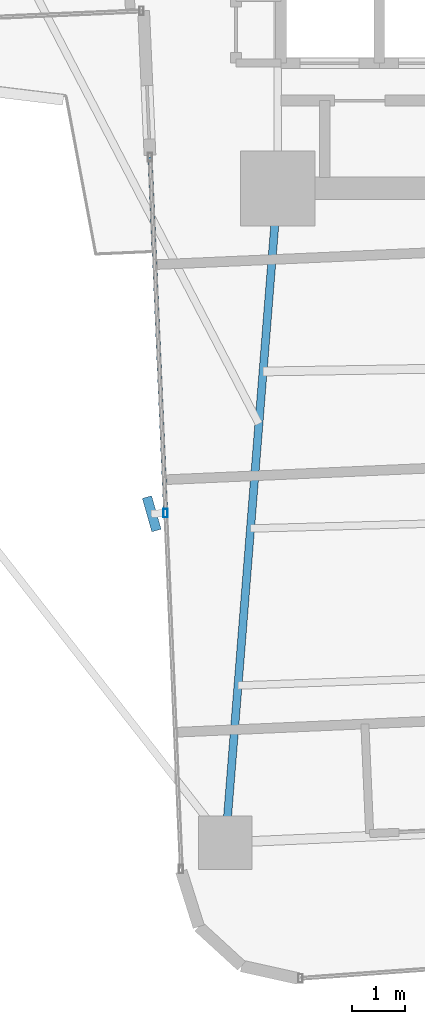
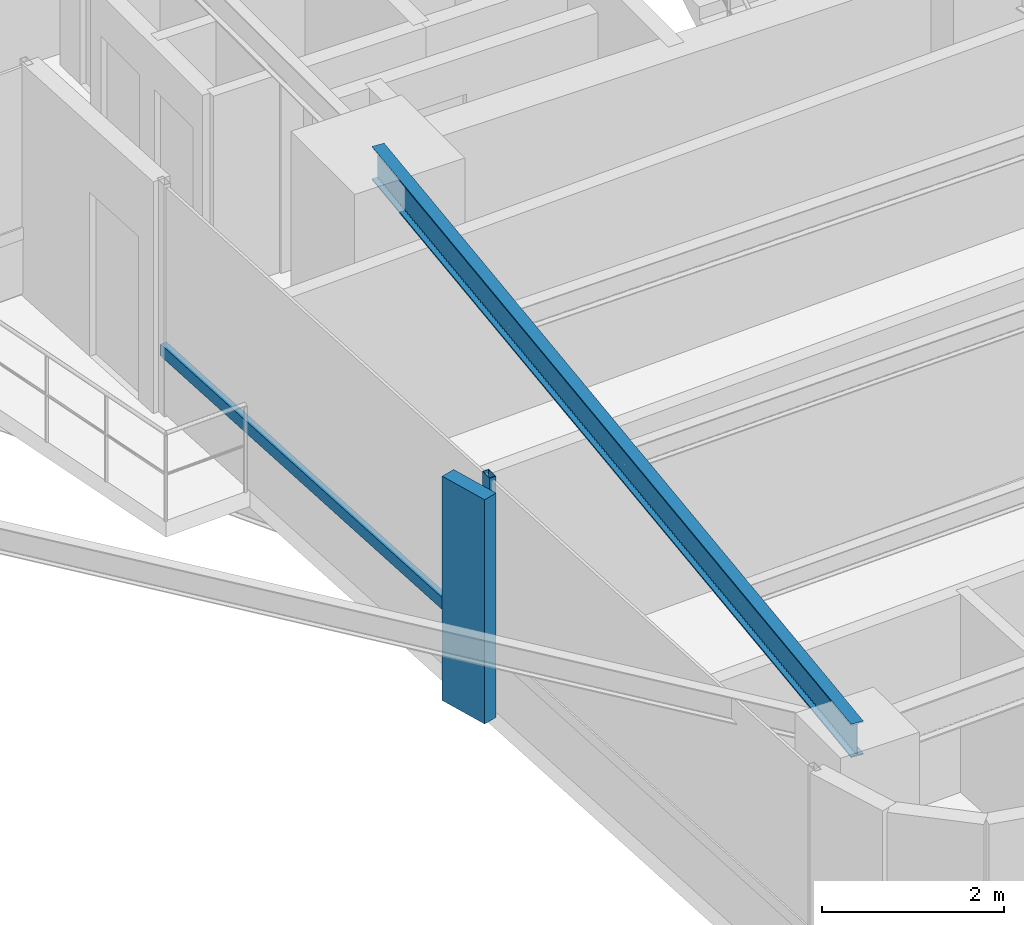
# One storey, part 4 of 27: 3 members, 1 beam, 1 element without a shape of its own.
"""IFC4 building model written with IfcOpenShell, lengths in metres."""

from ifc_helpers import new_model, si_unit, direction, frame, origin, origin_2d, place, context, subcontext, project, spatial, rectangle, hollow_rectangle, i_section, extrude, source, transform, mapped, material, material_profile, profile_set, type_object, element, aggregate, save


model = new_model("IFC4")

# Units and contexts
model_context = context("Model", 3, precision=1e-05, world=origin(), true_north=direction((0.0, 1.0)))
body_context = subcontext(model_context, "Body", "Model", "MODEL_VIEW")
ifc_project = project(units=[si_unit("LENGTHUNIT", "METRE"), si_unit("AREAUNIT", "SQUARE_METRE"), si_unit("VOLUMEUNIT", "CUBIC_METRE"), si_unit("PLANEANGLEUNIT", "RADIAN"), si_unit("MASSUNIT", "GRAM", prefix="KILO")], contexts=[model_context])

# Site, building, storey
site_placement = place(None, origin())
site = spatial("IfcSite", under=ifc_project, at=site_placement, CompositionType="ELEMENT")
building_placement = place(site_placement, origin())
building = spatial("IfcBuilding", under=site, at=building_placement, Name="Sahyath Konkavel Grand Hotel", CompositionType="ELEMENT")
storey_placement = place(building_placement, frame((0.0, 0.0, 90.199951171875)))
storey = spatial("IfcBuildingStorey", under=building, at=storey_placement, Name="L24", CompositionType="ELEMENT", Elevation=90.199951171875)

# Beam
ifc_material_1 = material(Name="Steel E350", Category="steel")
ifc_material_profile_1 = material_profile(ifc_material_1, i_section(OverallWidth=0.14990234375, OverallDepth=0.449951171875, WebThickness=0.009521484375, FlangeThickness=0.017333984375, FilletRadius=0.014892578125, at=origin_2d()), Name="ISMB 450")
ifc_profile_set_1 = profile_set([ifc_material_profile_1], Name="Steel E350")
beam_type = type_object("IfcBeamType", Name="BM-ISMB450", PredefinedType="BEAM", material=ifc_profile_set_1)
shared_shape_1 = source(origin(), body_context, "Body", "SweptSolid", [
    extrude(i_section(OverallWidth=0.14990234375, OverallDepth=0.449951171875, WebThickness=0.009521484375, FlangeThickness=0.017333984375, FilletRadius=0.014892578125, at=origin_2d()), origin(), (0.0, 0.0, 1.0), 12.2685546875),
])
beam_placement = place(storey_placement, frame((-3.800048828125, -10.199951171875, 2.885009765625), z_axis=(-0.079558563357, -0.996830193662, 0.0), x_axis=(0.996830193662, -0.079558563357, 0.0)))
element("IfcBeam", 1, at=beam_placement, inside=storey, type_object=beam_type, Name="L24 Cruciform Radial Girder SA", PredefinedType="BEAM", context=body_context, shape_type="MappedRepresentation", body=[
    mapped(shared_shape_1, transform((0.0, 0.0, 0.0), scale=1.0)),
])

# Curtain wall, members
ifc_material_2 = material(Name="Anodised Bronze Aluminium & Low-E Glazing", Category="aluminium")
curtain_wall_type = type_object("IfcCurtainWallType", Name="CW-ZONE2", PredefinedType="NOTDEFINED", material=ifc_material_2)
curtain_wall_placement = place(storey_placement, origin())
curtain_wall = element("IfcCurtainWall", 2, at=curtain_wall_placement, inside=storey, type_object=curtain_wall_type, Name="L24 Unitised Curtain Wall F24", PredefinedType="NOTDEFINED")
ifc_material_3 = material(Name="Warm Buff Sandstone Cladding on Concrete C50/60", Category="masonry")
ifc_material_profile_2 = material_profile(ifc_material_3, rectangle(XDim=0.179931640625, YDim=0.64990234375, at=origin_2d()), Name="FIN 180x650")
ifc_profile_set_2 = profile_set([ifc_material_profile_2], Name="Warm Buff Sandstone Cladding on Concrete C50/60")
member_type_1 = type_object("IfcMemberType", Name="FIN-SANDSTONE-650", PredefinedType="MULLION", material=ifc_profile_set_2)
shared_shape_2 = source(origin(), body_context, "Body", "SweptSolid", [
    extrude(rectangle(XDim=0.179931640625, YDim=0.64990234375, at=origin_2d()), origin(), (0.0, 0.0, 1.0), 3.010009765625),
])
member_1_placement = place(storey_placement, frame((-6.155517578125, -16.283935546875, 0.050048828125), z_axis=(0.0, 0.0, 1.0), x_axis=(0.961693479997, 0.274127070043, 0.0)))
member_1 = element("IfcMember", 3, at=member_1_placement, type_object=member_type_1, Name="L24 Sandstone Vertical Solar Fin FIN F24-1", PredefinedType="MULLION", context=body_context, shape_type="MappedRepresentation", body=[
    mapped(shared_shape_2, transform((0.0, 0.0, 0.0), scale=1.0)),
])
ifc_material_4 = material(Name="Anodised Bronze Aluminium", Category="aluminium")
ifc_material_profile_3 = material_profile(ifc_material_4, hollow_rectangle(XDim=0.080078125, YDim=0.159912109375, WallThickness=0.006103515625, at=origin_2d()), Name="RHS 160x80x6")
ifc_profile_set_3 = profile_set([ifc_material_profile_3], Name="Anodised Bronze Aluminium")
member_type_2 = type_object("IfcMemberType", Name="CW-MUL-160", PredefinedType="MULLION", material=ifc_profile_set_3)
shared_shape_3 = source(origin(), body_context, "Body", "SweptSolid", [
    extrude(hollow_rectangle(XDim=0.080078125, YDim=0.159912109375, WallThickness=0.006103515625, at=origin_2d()), origin(), (0.0, 0.0, 1.0), 3.110107421875),
])
member_2_placement = place(storey_placement, frame((-5.895751953125, -16.272705078125, 0.0), z_axis=(0.0, 0.0, 1.0), x_axis=(1.0, 0.0, 0.0)))
member_2 = element("IfcMember", 4, at=member_2_placement, type_object=member_type_2, Name="L24 Curtain Wall Mullion F24-1", PredefinedType="MULLION", context=body_context, shape_type="MappedRepresentation", body=[
    mapped(shared_shape_3, transform((0.0, 0.0, 0.0), scale=1.0)),
])
ifc_material_profile_4 = material_profile(ifc_material_4, hollow_rectangle(XDim=0.080078125, YDim=0.159912109375, WallThickness=0.006103515625, at=origin_2d()), Name="RHS 160x80x6")
ifc_profile_set_4 = profile_set([ifc_material_profile_4], Name="Anodised Bronze Aluminium")
member_type_3 = type_object("IfcMemberType", Name="CW-TRN-160", PredefinedType="USERDEFINED", material=ifc_profile_set_4)
shared_shape_4 = source(origin(), body_context, "Body", "SweptSolid", [
    extrude(hollow_rectangle(XDim=0.080078125, YDim=0.159912109375, WallThickness=0.006103515625, at=origin_2d()), origin(), (0.0, 0.0, 1.0), 6.66015625),
])
member_3_placement = place(storey_placement, frame((-6.186279296875, -9.618896484375, 0.85009765625), z_axis=(0.043621753165, -0.999048118286, 0.0), x_axis=(0.999048118286, 0.043621753165, 0.0)))
member_3 = element("IfcMember", 5, at=member_3_placement, type_object=member_type_3, Name="L24 Curtain Wall Transom F24-0-spandrel", ObjectType="TRANSOM", PredefinedType="USERDEFINED", context=body_context, shape_type="MappedRepresentation", body=[
    mapped(shared_shape_4, transform((0.0, 0.0, 0.0), scale=1.0)),
])
aggregate(curtain_wall, [member_2, member_1, member_3])

save(model, "model.ifc")
